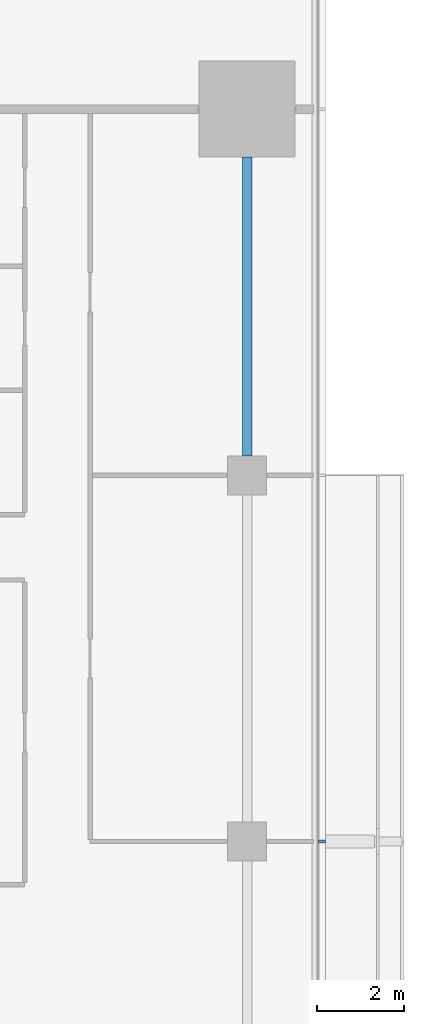
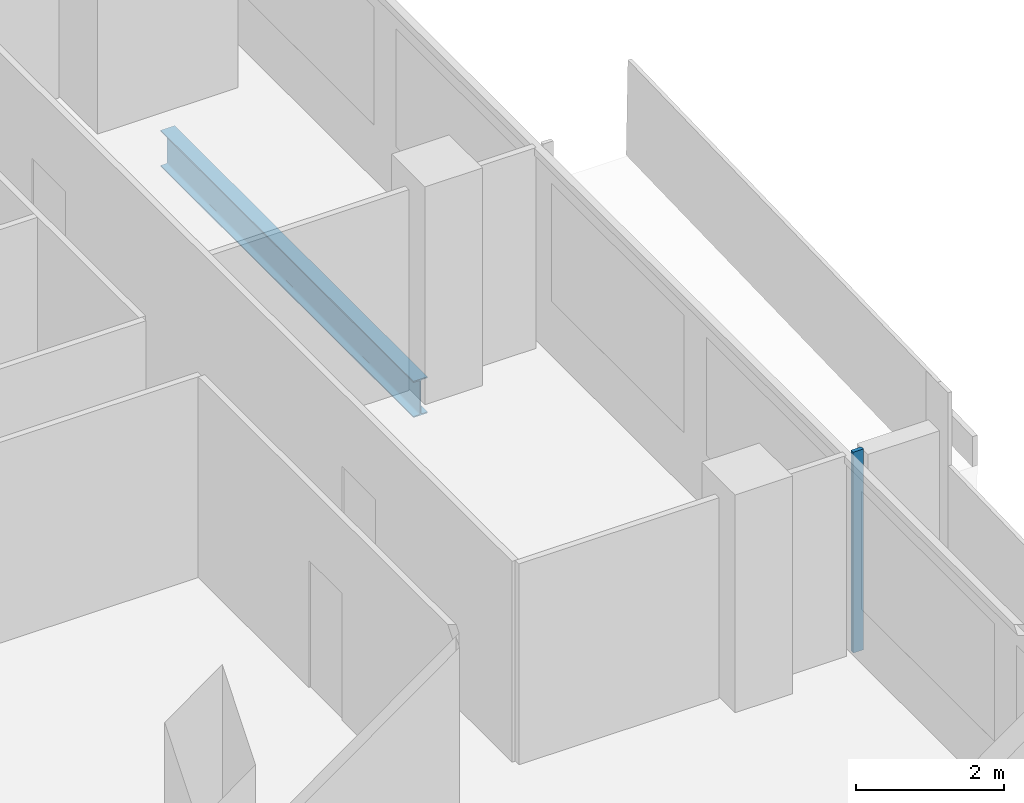
# One storey, part 11 of 25: 1 beam, 1 member, 1 element without a shape of its own.
"""IFC4 building model written with IfcOpenShell, lengths in metres."""

from ifc_helpers import new_model, si_unit, direction, frame, origin, origin_2d, place, context, subcontext, project, spatial, rectangle, i_section, extrude, material, material_profile, profile_set, type_object, element, aggregate, save


model = new_model("IFC4")

# Units and contexts
model_context = context("Model", 3, precision=1e-05, world=origin(), true_north=direction((0.0, 1.0)))
body_context = subcontext(model_context, "Body", "Model", "MODEL_VIEW")
ifc_project = project(units=[si_unit("LENGTHUNIT", "METRE"), si_unit("AREAUNIT", "SQUARE_METRE"), si_unit("VOLUMEUNIT", "CUBIC_METRE"), si_unit("PLANEANGLEUNIT", "RADIAN"), si_unit("MASSUNIT", "GRAM", prefix="KILO")], contexts=[model_context])

# Site, building, storey
site_placement = place(None, origin())
site = spatial("IfcSite", under=ifc_project, at=site_placement, CompositionType="ELEMENT")
building_placement = place(site_placement, origin())
building = spatial("IfcBuilding", under=site, at=building_placement, Name="Saffron Gate Tower", CompositionType="ELEMENT")
storey_placement = place(building_placement, frame((0.0, 0.0, 73.199951171875)))
storey = spatial("IfcBuildingStorey", under=building, at=storey_placement, Name="L17", CompositionType="ELEMENT", Elevation=73.199951171875)

# Beam
ifc_material_1 = material(Name="Structural steel S355", Category="steel")
ifc_material_profile_1 = material_profile(ifc_material_1, i_section(OverallWidth=0.219970703125, OverallDepth=0.60009765625, WebThickness=0.011962890625, FlangeThickness=0.01904296875, FilletRadius=0.02392578125, at=origin_2d()))
ifc_profile_set_1 = profile_set([ifc_material_profile_1], Name="Structural steel S355")
beam_type = type_object("IfcBeamType", Name="B16 IPE 600", PredefinedType="SPANDREL", material=ifc_profile_set_1)
beam_placement = place(storey_placement, frame((125.39990234375, 57.449951171875, -0.579833984375), z_axis=(0.0, 1.0, 0.0), x_axis=(-1.0, 0.0, 0.0)))
element("IfcBeam", 1, at=beam_placement, inside=storey, type_object=beam_type, Name="B16 SPANDREL BEAM", PredefinedType="SPANDREL", context=body_context, shape_type="SweptSolid", body=[
    extrude(i_section(OverallWidth=0.219970703125, OverallDepth=0.60009765625, WebThickness=0.011962890625, FlangeThickness=0.01904296875, FilletRadius=0.02392578125, at=origin_2d()), origin(), (0.0, 0.0, 1.0), 6.85009765625),
])

# Curtain wall, member
ifc_material_2 = material(Name="Aluminium, bronze anodised", Category="aluminium")
curtain_wall_type = type_object("IfcCurtainWallType", Name="CWS2 curtain wall side facades", PredefinedType="NOTDEFINED", material=ifc_material_2)
curtain_wall_placement = place(storey_placement, origin())
curtain_wall = element("IfcCurtainWall", 2, at=curtain_wall_placement, inside=storey, type_object=curtain_wall_type, Name="CWS2 run 4", PredefinedType="NOTDEFINED")
ifc_material_profile_2 = material_profile(ifc_material_2, rectangle(XDim=0.159912109375, YDim=0.06005859375, at=origin_2d()))
ifc_profile_set_2 = profile_set([ifc_material_profile_2], Name="Aluminium, bronze anodised")
member_type = type_object("IfcMemberType", Name="CWS2 mullion 60x160", PredefinedType="MULLION", material=ifc_profile_set_2)
member_placement = place(storey_placement, frame((127.1201171875, 48.60009765625, 0.0), z_axis=(0.0, 0.0, 1.0), x_axis=(-1.0, 0.0, 0.0)))
member = element("IfcMember", 3, at=member_placement, type_object=member_type, Name="CWS2 mullion 3", PredefinedType="MULLION", context=body_context, shape_type="SweptSolid", body=[
    extrude(rectangle(XDim=0.159912109375, YDim=0.06005859375, at=origin_2d()), origin(), (0.0, 0.0, 1.0), 3.320068359375),
])
aggregate(curtain_wall, [member])

save(model, "model.ifc")
